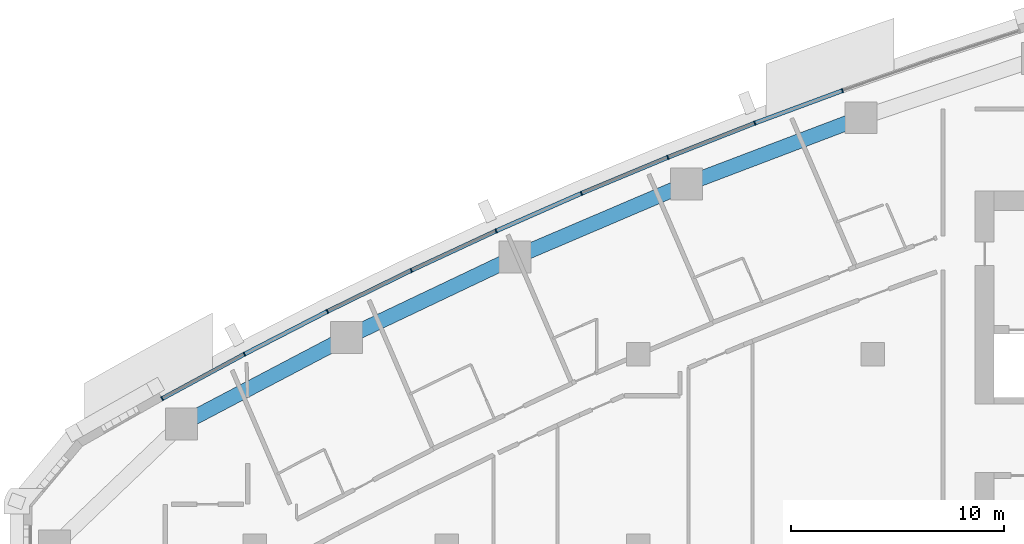
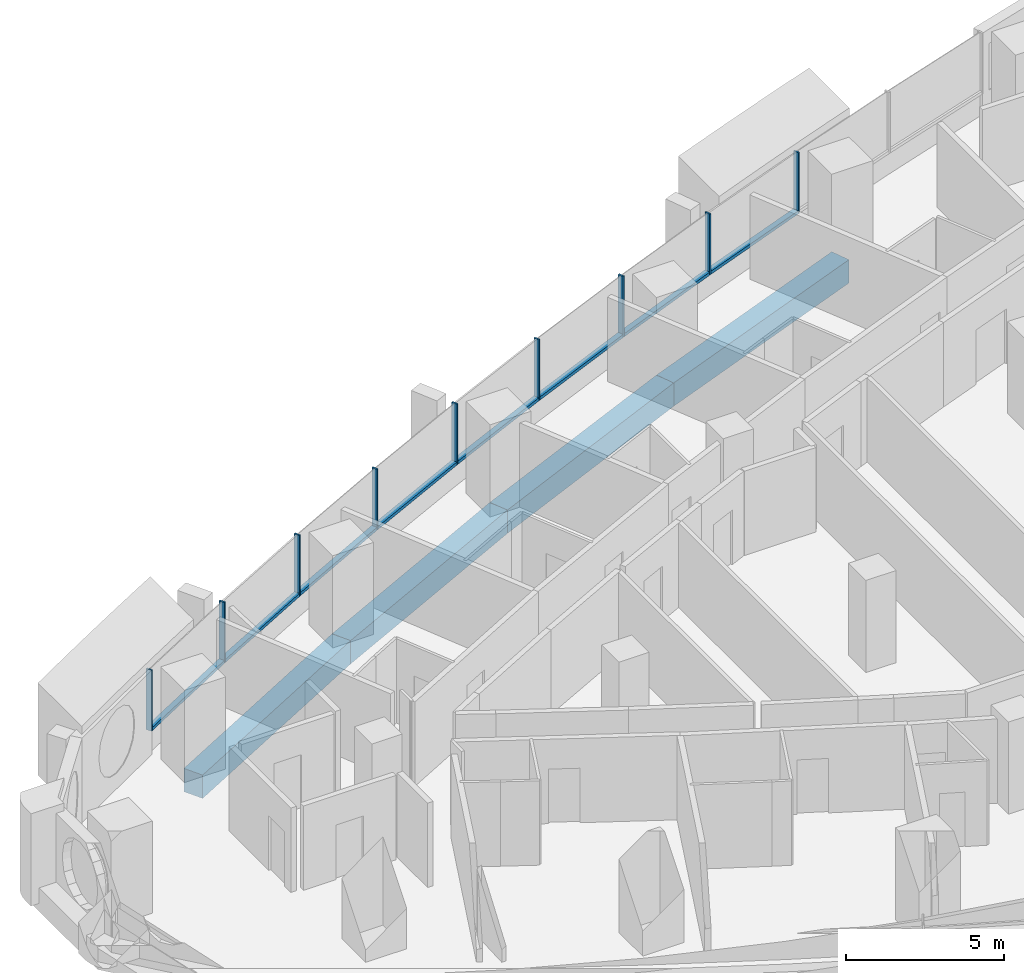
# One storey, part 5 of 17: 17 members, 4 beams, 5 elements without a shape of their own.
"""IFC4 building model written with IfcOpenShell, lengths in metres."""

import ifcopenshell
import ifcopenshell.guid

model = None  # the IFC model being written
_history = None  # IfcOwnerHistory: only IFC2X3 demands one
_inside = {}  # id of a spatial element -> (the spatial element, [elements in it])
_under = {}  # id of a project, library or spatial element -> (it, [spatial elements below it])
_declared = {}  # id of a project -> (the project, [libraries it declares])
_typed = {}  # id of a type object -> (the type object, [elements of that type])
_made_of = {}  # id of a material, layer set ... -> (it, [elements and type objects made of it])


def new_model(schema):
    """Start an empty IFC model of exactly this schema.

    Asked for "IFC4X3", IfcOpenShell would pick the latest addendum, in which some entities
    have other attributes; the version numbers below select the first issue.
    IFC2X3 requires an IfcOwnerHistory on every rooted entity: one is made here for all.
    """
    global model, _history
    if schema == "IFC4X3":
        model = ifcopenshell.file(schema_version=(4, 3, 0, 0))
    else:
        model = ifcopenshell.file(schema=schema)
    _inside.clear()
    _under.clear()
    _declared.clear()
    _typed.clear()
    _made_of.clear()
    _history = None
    if model.schema == "IFC2X3":
        org = make("IfcOrganization", Name="unknown")
        user = make(
            "IfcPersonAndOrganization",
            ThePerson=make("IfcPerson", FamilyName="unknown"),
            TheOrganization=org,
        )
        app = make(
            "IfcApplication",
            ApplicationDeveloper=org,
            Version="unknown",
            ApplicationFullName="unknown",
            ApplicationIdentifier="unknown",
        )
        _history = make(
            "IfcOwnerHistory",
            OwningUser=user,
            OwningApplication=app,
            ChangeAction="ADDED",
            CreationDate=0,
        )
    return model


def make(cls, **values):
    """One entity of the class cls with the attributes given. An attribute that is None is left unset."""
    return model.create_entity(
        cls, **{name: value for name, value in values.items() if value is not None}
    )


def rooted(cls, **values):
    """An entity with a GlobalId (a new one), such as an element, a storey or a relation."""
    return make(cls, GlobalId=ifcopenshell.guid.new(), OwnerHistory=_history, **values)


def si_unit(unit_type, name, prefix=None):
    """IfcSIUnit, for example si_unit("LENGTHUNIT", "METRE", prefix="MILLI")."""
    return make("IfcSIUnit", UnitType=unit_type, Prefix=prefix, Name=name)


def assignment(units):
    """IfcUnitAssignment: the units of a project."""
    return None if units is None else make("IfcUnitAssignment", Units=units)


def point(xyz):
    """IfcCartesianPoint."""
    return None if xyz is None else make("IfcCartesianPoint", Coordinates=xyz)


def direction(xyz):
    """IfcDirection."""
    return None if xyz is None else make("IfcDirection", DirectionRatios=xyz)


def frame(location, z_axis=None, x_axis=None):
    """IfcAxis2Placement3D, a coordinate frame: its origin and axes. An axis left out is left unset."""
    return make(
        "IfcAxis2Placement3D",
        Location=point(location),
        Axis=direction(z_axis),
        RefDirection=direction(x_axis),
    )


def frame_2d(location, x_axis=None):
    """IfcAxis2Placement2D, a coordinate frame in the plane: its origin and x axis."""
    return make(
        "IfcAxis2Placement2D", Location=point(location), RefDirection=direction(x_axis)
    )


def origin():
    """The frame at (0, 0, 0) with its axes left unset."""
    return frame((0.0, 0.0, 0.0))


def origin_2d():
    """The frame at (0, 0) in the plane with its x axis left unset."""
    return frame_2d((0.0, 0.0))


def place(relative_to, where):
    """IfcLocalPlacement: puts the frame where relative to a parent placement (None: the world)."""
    return make(
        "IfcLocalPlacement", PlacementRelTo=relative_to, RelativePlacement=where
    )


def context(
    kind, dimensions, precision=None, world=None, true_north=None, identifier=None
):
    """IfcGeometricRepresentationContext, for example the 3D "Model" context."""
    return make(
        "IfcGeometricRepresentationContext",
        ContextIdentifier=identifier,
        ContextType=kind,
        CoordinateSpaceDimension=dimensions,
        Precision=precision,
        WorldCoordinateSystem=world,
        TrueNorth=true_north,
    )


def subcontext(parent, identifier, kind, view, scale=None):
    """IfcGeometricRepresentationSubContext, for example "Body" below "Model"."""
    return make(
        "IfcGeometricRepresentationSubContext",
        ContextIdentifier=identifier,
        ContextType=kind,
        ParentContext=parent,
        TargetScale=scale,
        TargetView=view,
    )


def project(units=None, contexts=None):
    """IfcProject with its units and contexts."""
    return rooted(
        "IfcProject",
        Name="project",
        RepresentationContexts=contexts,
        UnitsInContext=assignment(units),
    )


def spatial(cls, under=None, at=None, **own):
    """A site, building, storey or space (cls), placed at a placement, below another one or the project."""
    s = rooted(cls, ObjectPlacement=at, **own)
    if under is not None:
        _under.setdefault(under.id(), (under, []))[1].append(s)
    return s


def profile(cls, at=None, kind="AREA", **sizes):
    """A parametric profile (cls). Its sizes go by their IFC names, for example OverallWidth=200.0."""
    return make(cls, ProfileType=kind, Position=at, **sizes)


def rectangle(**sizes):
    """IfcRectangleProfileDef."""
    return profile("IfcRectangleProfileDef", **sizes)


def extrude(swept, where, along, depth):
    """IfcExtrudedAreaSolid: the profile swept, set in the frame where, extruded along a direction by depth."""
    return make(
        "IfcExtrudedAreaSolid",
        SweptArea=swept,
        Position=where,
        ExtrudedDirection=direction(along),
        Depth=depth,
    )


def shape(context_of_items, identifier, shape_type, items):
    """IfcShapeRepresentation: the items that make up one representation, for example the "Body"."""
    return make(
        "IfcShapeRepresentation",
        ContextOfItems=context_of_items,
        RepresentationIdentifier=identifier,
        RepresentationType=shape_type,
        Items=items,
    )


def material(Name=None, Category=None):
    """IfcMaterial."""
    return make("IfcMaterial", Name=Name, Category=Category)


def layer(
    of_material, thickness, ventilated=None, Name=None, Category=None, Priority=None
):
    """IfcMaterialLayer: one layer of a wall or slab, of a material (None: an air gap)."""
    return make(
        "IfcMaterialLayer",
        Material=of_material,
        LayerThickness=thickness,
        IsVentilated=ventilated,
        Name=Name,
        Category=Category,
        Priority=Priority,
    )


def layer_set(layers, Name=None):
    """IfcMaterialLayerSet."""
    return make("IfcMaterialLayerSet", MaterialLayers=layers, LayerSetName=Name)


def material_profile(
    of_material, cross_section, Name=None, Category=None, Priority=None
):
    """IfcMaterialProfile: a cross section and its material."""
    return make(
        "IfcMaterialProfile",
        Name=Name,
        Material=of_material,
        Profile=cross_section,
        Priority=Priority,
        Category=Category,
    )


def profile_set(profiles, Name=None, composite=None):
    """IfcMaterialProfileSet."""
    return make(
        "IfcMaterialProfileSet",
        Name=Name,
        MaterialProfiles=profiles,
        CompositeProfile=composite,
    )


def made_of(thing, what):
    """Note that an element or type object is made of a material, layer set ...; save() writes the relation."""
    if what is not None:
        _made_of.setdefault(what.id(), (what, []))[1].append(thing)
    return thing


def type_object(cls, material=None, **own):
    """A type object (cls), such as IfcWallType, which elements share."""
    return made_of(rooted(cls, **own), material)


def element(
    cls,
    number,
    at=None,
    inside=None,
    cuts=None,
    type_object=None,
    material=None,
    context=None,
    identifier="Body",
    shape_type=None,
    held_by="IfcProductDefinitionShape",
    body=None,
    shapes=None,
    **own,
):
    """One element of the class cls, such as IfcWall. Its Tag is "e" and its number.

    at: its placement. inside: the storey or other place that contains it. cuts: it is an
    opening in that element (IfcRelVoidsElement). A single representation is given by context,
    identifier, shape_type and body (its items); several are given by shapes. held_by: the class
    of the entity that holds the representations. save() writes the other relations.
    """
    e = rooted(cls, Tag="e%d" % number, ObjectPlacement=at, **own)
    if body is not None:
        shapes = [shape(context, identifier, shape_type, body)]
    if shapes is not None:
        e.Representation = make(held_by, Representations=shapes)
    if inside is not None:
        _inside.setdefault(inside.id(), (inside, []))[1].append(e)
    if cuts is not None:
        rooted(
            "IfcRelVoidsElement", RelatingBuildingElement=cuts, RelatedOpeningElement=e
        )
    if type_object is not None:
        _typed.setdefault(type_object.id(), (type_object, []))[1].append(e)
    return made_of(e, material)


def aggregate(whole, parts):
    """IfcRelAggregates: a whole, such as a stair, and the parts it consists of."""
    return rooted("IfcRelAggregates", RelatingObject=whole, RelatedObjects=parts)


def save(model, path):
    """Write the relations noted so far, then the file.

    IfcRelAggregates (storeys below a building ...), IfcRelContainedInSpatialStructure (elements
    in a storey), IfcRelDefinesByType, IfcRelAssociatesMaterial and IfcRelDeclares: one each for
    every whole, place, type object, material and project.
    """
    for whole, parts in _under.values():
        aggregate(whole, parts)
    for where, things in _inside.values():
        rooted(
            "IfcRelContainedInSpatialStructure",
            RelatedElements=things,
            RelatingStructure=where,
        )
    for kind, things in _typed.values():
        rooted("IfcRelDefinesByType", RelatedObjects=things, RelatingType=kind)
    for what, things in _made_of.values():
        rooted("IfcRelAssociatesMaterial", RelatedObjects=things, RelatingMaterial=what)
    for by, libraries in _declared.values():
        rooted("IfcRelDeclares", RelatingContext=by, RelatedDefinitions=libraries)
    model.write(path)


model = new_model("IFC4")

# Units and contexts
model_context = context("Model", 3, precision=1e-05, world=origin(), true_north=direction((0.0, 1.0)))
body_context = subcontext(model_context, "Body", "Model", "MODEL_VIEW")
ifc_project = project(units=[si_unit("LENGTHUNIT", "METRE"), si_unit("AREAUNIT", "SQUARE_METRE"), si_unit("VOLUMEUNIT", "CUBIC_METRE"), si_unit("PLANEANGLEUNIT", "RADIAN"), si_unit("MASSUNIT", "GRAM", prefix="KILO")], contexts=[model_context])

# Site, building, storey
site_placement = place(None, origin())
site = spatial("IfcSite", under=ifc_project, at=site_placement, CompositionType="ELEMENT")
building_placement = place(site_placement, origin())
building = spatial("IfcBuilding", under=site, at=building_placement, Name="Ostrand Prow Hotel Tower", CompositionType="ELEMENT")
storey_placement = place(building_placement, frame((0.0, 0.0, 144.39990234375)))
storey = spatial("IfcBuildingStorey", under=building, at=storey_placement, Name="L35", CompositionType="ELEMENT", Elevation=144.39990234375)

# Beams
ifc_material_1 = material(Name="Concrete C70/85", Category="concrete")
ifc_material_profile_1 = material_profile(ifc_material_1, rectangle(XDim=0.699951171875, YDim=0.89990234375, at=origin_2d()), Name="RC 700x900")
ifc_profile_set_1 = profile_set([ifc_material_profile_1], Name="Concrete C70/85")
beam_type = type_object("IfcBeamType", Name="Edge beam 700x900 C70/85", PredefinedType="SPANDREL", material=ifc_profile_set_1)
for number, where, z_axis, x_axis, name in (
    (1, (44.438232421875, 20.093017578125, -0.75), (-0.93479358236, -0.355191439055, 0.0), (0.355191439055, -0.93479358236, 0.0), "Edge beam N2-N3"),
    (2, (36.255615234375, 16.98388671875, -0.75), (-0.919700966994, -0.392619575811, 0.0), (0.392619575811, -0.919700966994, 0.0), "Edge beam N3-N4"),
    (3, (28.205078125, 13.547119140625, -0.75), (-0.903083113352, -0.429465819803, 0.0), (0.429465819803, -0.903083113352, 0.0), "Edge beam N4-N5"),
    (4, (20.300048828125, 9.787841796875, -0.75), (-0.885016215308, -0.465560198731, 0.0), (0.465560198731, -0.885016215308, 0.0), "Edge beam N5-N6"),
):
    element("IfcBeam", number, at=place(storey_placement, frame(where, z_axis=z_axis, x_axis=x_axis)), inside=storey, type_object=beam_type, Name=name, PredefinedType="SPANDREL", context=body_context, shape_type="SweptSolid", body=[
        extrude(rectangle(XDim=0.699951171875, YDim=0.89990234375, at=origin_2d()), origin(), (0.0, 0.0, 1.0), 8.75341796875),
    ])

# Curtain wall, member
ifc_material_2 = material(Name="Insulated glass in bronze anodised frame", Category="glass")
ifc_layer = layer(ifc_material_2, 0.199951171875)
ifc_layer_set = layer_set([ifc_layer], Name="Insulated glass in bronze anodised frame")
curtain_wall_type = type_object("IfcCurtainWallType", Name="Strip curtain wall, fritted glass over bronze spandrel", PredefinedType="NOTDEFINED", material=ifc_layer_set)
curtain_wall_1_placement = place(storey_placement, origin())
curtain_wall_1 = element("IfcCurtainWall", 5, at=curtain_wall_1_placement, inside=storey, type_object=curtain_wall_type, Name="CW1 run CWN1", PredefinedType="NOTDEFINED")
ifc_material_3 = material(Name="Bronze anodised aluminium", Category="aluminium")
ifc_material_profile_2 = material_profile(ifc_material_3, rectangle(XDim=0.199951171875, YDim=0.06005859375, at=origin_2d()), Name="Mullion 60x200 bronze anodised aluminium")
ifc_profile_set_2 = profile_set([ifc_material_profile_2], Name="Bronze anodised aluminium")
member_type_1 = type_object("IfcMemberType", Name="Mullion 60x200 bronze anodised aluminium", PredefinedType="MULLION", material=ifc_profile_set_2)
member_1_placement = place(storey_placement, frame((43.5751953125, 21.3642578125, 0.900146484375), z_axis=(0.0, 0.0, 1.0), x_axis=(0.328428177424, -0.944528947293, 0.0)))
member_1 = element("IfcMember", 6, at=member_1_placement, type_object=member_type_1, Name="CW1 mullion 3", PredefinedType="MULLION", context=body_context, shape_type="SweptSolid", body=[
    extrude(rectangle(XDim=0.199951171875, YDim=0.06005859375, at=origin_2d()), origin(), (0.0, 0.0, 1.0), 2.349853515625),
])
aggregate(curtain_wall_1, [member_1])

# Curtain wall, members
curtain_wall_2_placement = place(storey_placement, origin())
curtain_wall_2 = element("IfcCurtainWall", 7, at=curtain_wall_2_placement, inside=storey, type_object=curtain_wall_type, Name="CW1 run CWN2", PredefinedType="NOTDEFINED")
member_2_placement = place(storey_placement, frame((39.462158203125, 19.8408203125, 0.900146484375), z_axis=(0.0, 0.0, 1.0), x_axis=(0.366116334636, -0.930569089059, 0.0)))
member_2 = element("IfcMember", 8, at=member_2_placement, type_object=member_type_1, Name="CW1 mullion 2", PredefinedType="MULLION", context=body_context, shape_type="SweptSolid", body=[
    extrude(rectangle(XDim=0.199951171875, YDim=0.06005859375, at=origin_2d()), origin(), (0.0, 0.0, 1.0), 2.349853515625),
])
member_3_placement = place(storey_placement, frame((35.380615234375, 18.235107421875, 0.900146484375), z_axis=(0.0, 0.0, 1.0), x_axis=(0.366116334636, -0.930569089059, 0.0)))
member_3 = element("IfcMember", 9, at=member_3_placement, type_object=member_type_1, Name="CW1 mullion 3", PredefinedType="MULLION", context=body_context, shape_type="SweptSolid", body=[
    extrude(rectangle(XDim=0.199951171875, YDim=0.06005859375, at=origin_2d()), origin(), (0.0, 0.0, 1.0), 2.349853515625),
])

curtain_wall_3_placement = place(storey_placement, origin())
curtain_wall_3 = element("IfcCurtainWall", 10, at=curtain_wall_3_placement, inside=storey, type_object=curtain_wall_type, Name="CW1 run CWN3", PredefinedType="NOTDEFINED")
member_4_placement = place(storey_placement, frame((31.332275390625, 16.54736328125, 0.900146484375), z_axis=(0.0, 0.0, 1.0), x_axis=(0.403213113347, -0.915106105993, 0.0)))
member_4 = element("IfcMember", 11, at=member_4_placement, type_object=member_type_1, Name="CW1 mullion 2", PredefinedType="MULLION", context=body_context, shape_type="SweptSolid", body=[
    extrude(rectangle(XDim=0.199951171875, YDim=0.06005859375, at=origin_2d()), origin(), (0.0, 0.0, 1.0), 2.349853515625),
])
member_5_placement = place(storey_placement, frame((27.318359375, 14.77880859375, 0.900146484375), z_axis=(0.0, 0.0, 1.0), x_axis=(0.403213113347, -0.915106105993, 0.0)))
member_5 = element("IfcMember", 12, at=member_5_placement, type_object=member_type_1, Name="CW1 mullion 3", PredefinedType="MULLION", context=body_context, shape_type="SweptSolid", body=[
    extrude(rectangle(XDim=0.199951171875, YDim=0.06005859375, at=origin_2d()), origin(), (0.0, 0.0, 1.0), 2.349853515625),
])

curtain_wall_4_placement = place(storey_placement, origin())
curtain_wall_4 = element("IfcCurtainWall", 13, at=curtain_wall_4_placement, inside=storey, type_object=curtain_wall_type, Name="CW1 run CWN4", PredefinedType="NOTDEFINED")
member_6_placement = place(storey_placement, frame((23.341064453125, 12.93017578125, 0.900146484375), z_axis=(0.0, 0.0, 1.0), x_axis=(0.439658592061, -0.898164975061, 0.0)))
member_6 = element("IfcMember", 14, at=member_6_placement, type_object=member_type_1, Name="CW1 mullion 2", PredefinedType="MULLION", context=body_context, shape_type="SweptSolid", body=[
    extrude(rectangle(XDim=0.199951171875, YDim=0.06005859375, at=origin_2d()), origin(), (0.0, 0.0, 1.0), 2.349853515625),
])
member_7_placement = place(storey_placement, frame((19.401611328125, 11.001708984375, 0.900146484375), z_axis=(0.0, 0.0, 1.0), x_axis=(0.439658592061, -0.898164975061, 0.0)))
member_7 = element("IfcMember", 15, at=member_7_placement, type_object=member_type_1, Name="CW1 mullion 3", PredefinedType="MULLION", context=body_context, shape_type="SweptSolid", body=[
    extrude(rectangle(XDim=0.199951171875, YDim=0.06005859375, at=origin_2d()), origin(), (0.0, 0.0, 1.0), 2.349853515625),
])

curtain_wall_5_placement = place(storey_placement, origin())
curtain_wall_5 = element("IfcCurtainWall", 16, at=curtain_wall_5_placement, inside=storey, type_object=curtain_wall_type, Name="CW1 run CWN5", PredefinedType="NOTDEFINED")
member_8_placement = place(storey_placement, frame((15.501708984375, 8.99462890625, 0.900146484375), z_axis=(0.0, 0.0, 1.0), x_axis=(0.475393901316, -0.879773060847, 0.0)))
member_8 = element("IfcMember", 17, at=member_8_placement, type_object=member_type_1, Name="CW1 mullion 2", PredefinedType="MULLION", context=body_context, shape_type="SweptSolid", body=[
    extrude(rectangle(XDim=0.199951171875, YDim=0.06005859375, at=origin_2d()), origin(), (0.0, 0.0, 1.0), 2.349853515625),
])
member_9_placement = place(storey_placement, frame((11.64306640625, 6.909423828125, 0.900146484375), z_axis=(0.0, 0.0, 1.0), x_axis=(0.475393901316, -0.879773060847, 0.0)))
member_9 = element("IfcMember", 18, at=member_9_placement, type_object=member_type_1, Name="CW1 mullion 3", PredefinedType="MULLION", context=body_context, shape_type="SweptSolid", body=[
    extrude(rectangle(XDim=0.199951171875, YDim=0.06005859375, at=origin_2d()), origin(), (0.0, 0.0, 1.0), 2.349853515625),
])

# Member
ifc_material_4 = material(Name="Bronze anodised aluminium", Category="aluminium")
ifc_material_profile_3 = material_profile(ifc_material_4, rectangle(XDim=0.199951171875, YDim=0.1201171875, at=origin_2d()), Name="Transom 120x200 bronze anodised aluminium")
ifc_profile_set_3 = profile_set([ifc_material_profile_3], Name="Bronze anodised aluminium")
member_type_2 = type_object("IfcMemberType", Name="Transom 120x200 bronze anodised aluminium", PredefinedType="USERDEFINED", material=ifc_profile_set_3)
member_10_placement = place(storey_placement, frame((43.547119140625, 21.353759765625, 0.960205078125), z_axis=(-0.937756929379, -0.347292299657, 0.0), x_axis=(0.347292299657, -0.937756929379, 0.0)))
member_10 = element("IfcMember", 19, at=member_10_placement, type_object=member_type_2, Name="CW1 transom 1.1", ObjectType="TRANSOM", PredefinedType="USERDEFINED", context=body_context, shape_type="SweptSolid", body=[
    extrude(rectangle(XDim=0.199951171875, YDim=0.1201171875, at=origin_2d()), origin(), (0.0, 0.0, 1.0), 4.326171875),
])

member_11_placement = place(storey_placement, frame((39.434326171875, 19.829833984375, 0.960205078125), z_axis=(-0.930563430162, -0.366130717701, 0.0), x_axis=(0.366130717701, -0.930563430162, 0.0)))
member_11 = element("IfcMember", 20, at=member_11_placement, type_object=member_type_2, Name="CW1 transom 2.1", ObjectType="TRANSOM", PredefinedType="USERDEFINED", context=body_context, shape_type="SweptSolid", body=[
    extrude(rectangle(XDim=0.199951171875, YDim=0.1201171875, at=origin_2d()), origin(), (0.0, 0.0, 1.0), 4.326171875),
])

aggregate(curtain_wall_2, [member_2, member_3, member_10, member_11])

member_12_placement = place(storey_placement, frame((35.352783203125, 18.223388671875, 0.960205078125), z_axis=(-0.923028493412, -0.384731595206, 0.0), x_axis=(0.384731595206, -0.923028493412, 0.0)))
member_12 = element("IfcMember", 21, at=member_12_placement, type_object=member_type_2, Name="CW1 transom 1.1", ObjectType="TRANSOM", PredefinedType="USERDEFINED", context=body_context, shape_type="SweptSolid", body=[
    extrude(rectangle(XDim=0.199951171875, YDim=0.1201171875, at=origin_2d()), origin(), (0.0, 0.0, 1.0), 4.325927734375),
])

member_13_placement = place(storey_placement, frame((31.3046875, 16.535400390625, 0.960205078125), z_axis=(-0.91509853977, -0.403230284715, 0.0), x_axis=(0.403230284715, -0.91509853977, 0.0)))
member_13 = element("IfcMember", 22, at=member_13_placement, type_object=member_type_2, Name="CW1 transom 2.1", ObjectType="TRANSOM", PredefinedType="USERDEFINED", context=body_context, shape_type="SweptSolid", body=[
    extrude(rectangle(XDim=0.199951171875, YDim=0.1201171875, at=origin_2d()), origin(), (0.0, 0.0, 1.0), 4.325927734375),
])

aggregate(curtain_wall_3, [member_4, member_5, member_12, member_13])

member_14_placement = place(storey_placement, frame((27.291259765625, 14.766357421875, 0.960205078125), z_axis=(-0.906796377468, -0.421568890944, 0.0), x_axis=(0.421568890944, -0.906796377468, 0.0)))
member_14 = element("IfcMember", 23, at=member_14_placement, type_object=member_type_2, Name="CW1 transom 1.1", ObjectType="TRANSOM", PredefinedType="USERDEFINED", context=body_context, shape_type="SweptSolid", body=[
    extrude(rectangle(XDim=0.199951171875, YDim=0.1201171875, at=origin_2d()), origin(), (0.0, 0.0, 1.0), 4.326171875),
])

member_15_placement = place(storey_placement, frame((23.314208984375, 12.9169921875, 0.960205078125), z_axis=(-0.89815413626, -0.439680733623, 0.0), x_axis=(0.439680733623, -0.89815413626, 0.0)))
member_15 = element("IfcMember", 24, at=member_15_placement, type_object=member_type_2, Name="CW1 transom 2.1", ObjectType="TRANSOM", PredefinedType="USERDEFINED", context=body_context, shape_type="SweptSolid", body=[
    extrude(rectangle(XDim=0.199951171875, YDim=0.1201171875, at=origin_2d()), origin(), (0.0, 0.0, 1.0), 4.326171875),
])

aggregate(curtain_wall_4, [member_6, member_7, member_14, member_15])

member_16_placement = place(storey_placement, frame((19.375, 10.988037109375, 0.960205078125), z_axis=(-0.88914020052, -0.457634902318, 0.0), x_axis=(0.457634902318, -0.88914020052, 0.0)))
member_16 = element("IfcMember", 25, at=member_16_placement, type_object=member_type_2, Name="CW1 transom 1.1", ObjectType="TRANSOM", PredefinedType="USERDEFINED", context=body_context, shape_type="SweptSolid", body=[
    extrude(rectangle(XDim=0.199951171875, YDim=0.1201171875, at=origin_2d()), origin(), (0.0, 0.0, 1.0), 4.325927734375),
])

member_17_placement = place(storey_placement, frame((15.475341796875, 8.980224609375, 0.960205078125), z_axis=(-0.879765206929, -0.475408435639, 0.0), x_axis=(0.475408435639, -0.879765206929, 0.0)))
member_17 = element("IfcMember", 26, at=member_17_placement, type_object=member_type_2, Name="CW1 transom 2.1", ObjectType="TRANSOM", PredefinedType="USERDEFINED", context=body_context, shape_type="SweptSolid", body=[
    extrude(rectangle(XDim=0.199951171875, YDim=0.1201171875, at=origin_2d()), origin(), (0.0, 0.0, 1.0), 4.326171875),
])

aggregate(curtain_wall_5, [member_8, member_9, member_16, member_17])

save(model, "model.ifc")
